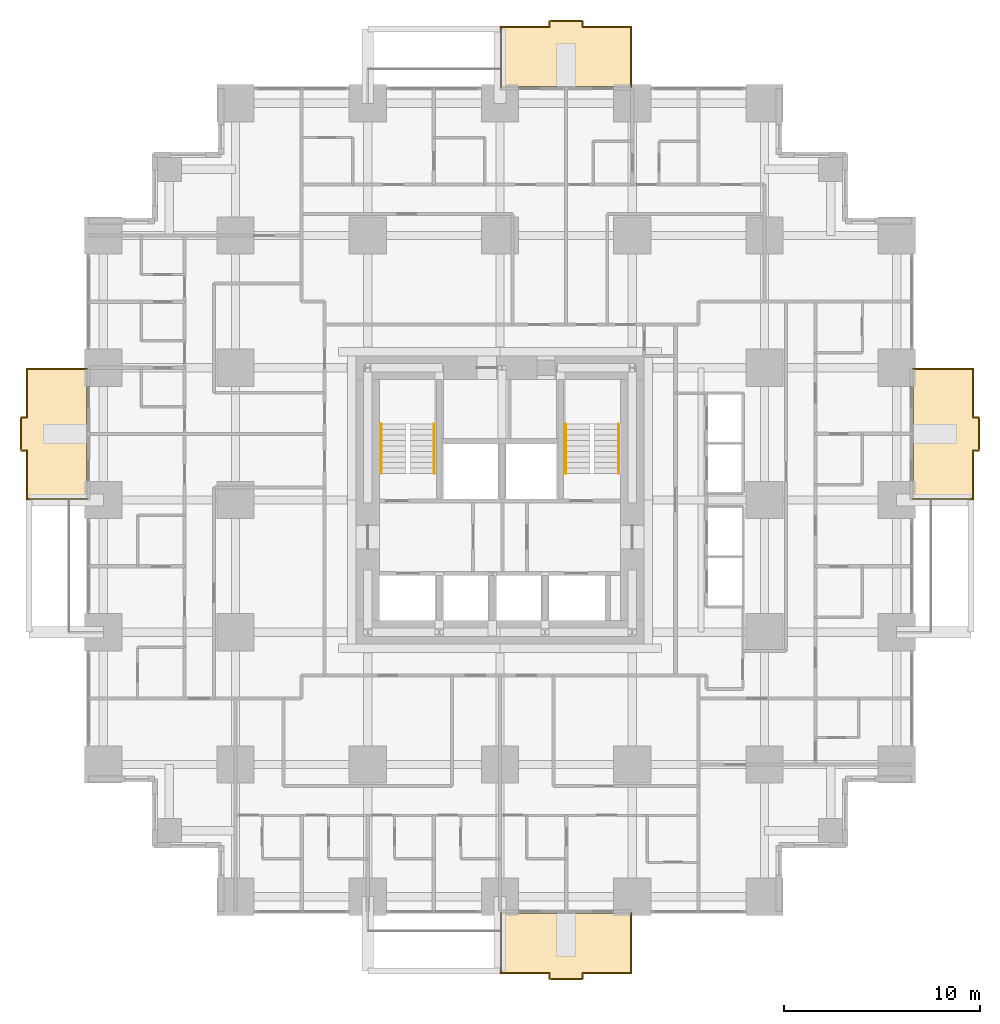
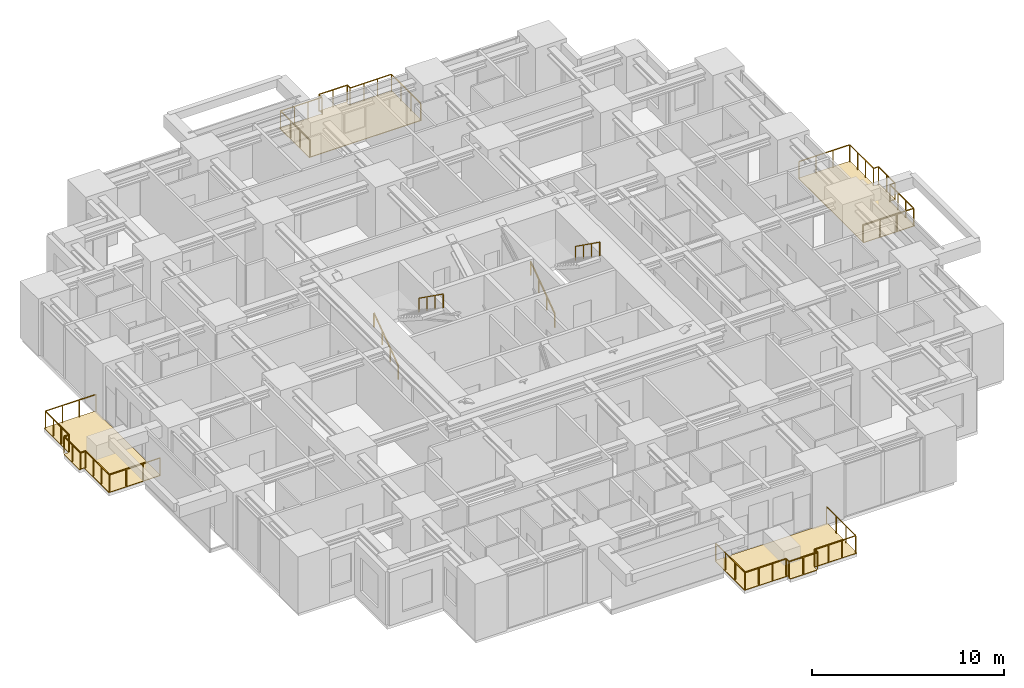
# One storey, part 14 of 14: 8 railings, 4 coverings.
"""IFC4 building model written with IfcOpenShell, lengths in metres."""

from ifc_helpers import new_model, si_unit, direction, frame, origin, origin_2d, place, context, subcontext, project, spatial, polyline, rectangle, outline, extrude, material, layer, layer_set, type_object, element, save


model = new_model("IFC4")

# Units and contexts
model_context = context("Model", 3, precision=1e-05, world=origin(), true_north=direction((0.0, 1.0)))
body_context = subcontext(model_context, "Body", "Model", "MODEL_VIEW")
ifc_project = project(units=[si_unit("LENGTHUNIT", "METRE"), si_unit("AREAUNIT", "SQUARE_METRE"), si_unit("VOLUMEUNIT", "CUBIC_METRE"), si_unit("PLANEANGLEUNIT", "RADIAN"), si_unit("MASSUNIT", "GRAM", prefix="KILO")], contexts=[model_context])

# Site, building, storey
site_placement = place(None, origin())
site = spatial("IfcSite", under=ifc_project, at=site_placement, CompositionType="ELEMENT")
building_placement = place(site_placement, origin())
building = spatial("IfcBuilding", under=site, at=building_placement, Name="Nyansa Garden Tower", CompositionType="ELEMENT")
storey_placement = place(building_placement, frame((0.0, 0.0, 21.60009765625)))
storey = spatial("IfcBuildingStorey", under=building, at=storey_placement, Name="L05", CompositionType="ELEMENT", Elevation=21.60009765625)

# Coverings
ifc_material_1 = material(Name="Hardwood decking on pedestals", Category="wood")
ifc_layer = layer(ifc_material_1, 0.0400390625)
ifc_layer_set = layer_set([ifc_layer], Name="Balcony decking DK40")
covering_type = type_object("IfcCoveringType", Name="Balcony decking DK40", PredefinedType="FLOORING", material=ifc_layer_set)
covering_1_placement = place(storey_placement, frame((0.0, 0.0, -0.0400390625)))
element("IfcCovering", 1, at=covering_1_placement, inside=storey, type_object=covering_type, Name="Balcony decking L05", PredefinedType="FLOORING", context=body_context, shape_type="SweptSolid", body=[
    extrude(outline(polyline([(20.25, -0.85009765625), (27.0, -0.85009765625), (27.0, -3.949951171875), (24.425048828125, -3.949951171875), (24.425048828125, -4.25), (22.824951171875, -4.25), (22.824951171875, -3.949951171875), (20.25, -3.949951171875), (20.25, -0.85009765625)])), origin(), (0.0, 0.0, 1.0), 0.0400390625),
])
covering_2_placement = place(storey_placement, frame((0.0, 0.0, -0.0400390625)))
element("IfcCovering", 2, at=covering_2_placement, inside=storey, type_object=covering_type, Name="Balcony decking L05", PredefinedType="FLOORING", context=body_context, shape_type="SweptSolid", body=[
    extrude(outline(polyline([(41.35009765625, 20.25), (41.35009765625, 27.0), (44.449951171875, 27.0), (44.449951171875, 24.425048828125), (44.75, 24.425048828125), (44.75, 22.824951171875), (44.449951171875, 22.824951171875), (44.449951171875, 20.25), (41.35009765625, 20.25)])), origin(), (0.0, 0.0, 1.0), 0.0400390625),
])
covering_3_placement = place(storey_placement, frame((0.0, 0.0, -0.0400390625)))
element("IfcCovering", 3, at=covering_3_placement, inside=storey, type_object=covering_type, Name="Balcony decking L05", PredefinedType="FLOORING", context=body_context, shape_type="SweptSolid", body=[
    extrude(outline(polyline([(20.25, 41.35009765625), (27.0, 41.35009765625), (27.0, 44.449951171875), (24.425048828125, 44.449951171875), (24.425048828125, 44.75), (22.824951171875, 44.75), (22.824951171875, 44.449951171875), (20.25, 44.449951171875), (20.25, 41.35009765625)])), origin(), (0.0, 0.0, 1.0), 0.0400390625),
])
covering_4_placement = place(storey_placement, frame((0.0, 0.0, -0.0400390625)))
element("IfcCovering", 4, at=covering_4_placement, inside=storey, type_object=covering_type, Name="Balcony decking L05", PredefinedType="FLOORING", context=body_context, shape_type="SweptSolid", body=[
    extrude(outline(polyline([(-0.85009765625, 20.25), (-0.85009765625, 27.0), (-3.949951171875, 27.0), (-3.949951171875, 24.425048828125), (-4.25, 24.425048828125), (-4.25, 22.824951171875), (-3.949951171875, 22.824951171875), (-3.949951171875, 20.25), (-0.85009765625, 20.25)])), origin(), (0.0, 0.0, 1.0), 0.0400390625),
])

# Railings
ifc_material_2 = material(Name="Black powder-coated steel balusters, laminated glass infill", Category="steel")
railing_type_1 = type_object("IfcRailingType", Name="Balcony guard G1", PredefinedType="GUARDRAIL", material=ifc_material_2)
railing_1_placement = place(storey_placement, frame((20.300048828125, -0.85009765625, 0.0)))
element("IfcRailing", 5, at=railing_1_placement, inside=storey, type_object=railing_type_1, Name="Balcony guard L05", PredefinedType="GUARDRAIL", context=body_context, shape_type="SweptSolid", body=[
    extrude(rectangle(XDim=0.048095703125, YDim=0.048095703125, at=origin_2d()), frame((0.0, 0.0, 1.076171875), z_axis=(0.0, -1.0, 0.0), x_axis=(1.0, 0.0, 0.0)), (0.0, 0.0, 1.0), 3.0498046875),
    extrude(rectangle(XDim=0.048095703125, YDim=0.048095703125, at=origin_2d()), frame((0.0, -3.0498046875, 1.076171875), z_axis=(1.0, 0.0, 0.0), x_axis=(0.0, 1.0, 0.0)), (0.0, 0.0, 1.0), 2.474853515625),
    extrude(rectangle(XDim=0.048095703125, YDim=0.048095703125, at=origin_2d()), frame((2.474853515625, -3.0498046875, 1.076171875), z_axis=(0.0, -1.0, 0.0), x_axis=(1.0, 0.0, 0.0)), (0.0, 0.0, 1.0), 0.300048828125),
    extrude(rectangle(XDim=0.048095703125, YDim=0.048095703125, at=origin_2d()), frame((2.474853515625, -3.349853515625, 1.076171875), z_axis=(1.0, 0.0, 0.0), x_axis=(0.0, 1.0, 0.0)), (0.0, 0.0, 1.0), 1.7001953125),
    extrude(rectangle(XDim=0.048095703125, YDim=0.048095703125, at=origin_2d()), frame((4.175048828125, -3.349853515625, 1.076171875), z_axis=(0.0, 1.0, 0.0), x_axis=(-1.0, 0.0, 0.0)), (0.0, 0.0, 1.0), 0.300048828125),
    extrude(rectangle(XDim=0.048095703125, YDim=0.048095703125, at=origin_2d()), frame((4.175048828125, -3.0498046875, 1.076171875), z_axis=(1.0, 0.0, 0.0), x_axis=(0.0, 1.0, 0.0)), (0.0, 0.0, 1.0), 2.474853515625),
    extrude(rectangle(XDim=0.048095703125, YDim=0.048095703125, at=origin_2d()), frame((6.64990234375, -3.0498046875, 1.076171875), z_axis=(0.0, 1.0, 0.0), x_axis=(-1.0, 0.0, 0.0)), (0.0, 0.0, 1.0), 3.0498046875),
    extrude(rectangle(XDim=0.0419921875, YDim=0.0419921875, at=origin_2d()), origin(), (0.0, 0.0, 1.0), 1.052001953125),
    extrude(rectangle(XDim=0.0419921875, YDim=0.0419921875, at=origin_2d()), frame((0.0, -1.0166015625, 0.0)), (0.0, 0.0, 1.0), 1.052001953125),
    extrude(rectangle(XDim=0.0419921875, YDim=0.0419921875, at=origin_2d()), frame((0.0, -2.033203125, 0.0)), (0.0, 0.0, 1.0), 1.052001953125),
    extrude(rectangle(XDim=0.0419921875, YDim=0.0419921875, at=origin_2d()), frame((0.0, -3.0498046875, 0.0)), (0.0, 0.0, 1.0), 1.052001953125),
    extrude(rectangle(XDim=0.0419921875, YDim=0.0419921875, at=origin_2d()), frame((0.824951171875, -3.0498046875, 0.0)), (0.0, 0.0, 1.0), 1.052001953125),
    extrude(rectangle(XDim=0.0419921875, YDim=0.0419921875, at=origin_2d()), frame((1.64990234375, -3.0498046875, 0.0)), (0.0, 0.0, 1.0), 1.052001953125),
    extrude(rectangle(XDim=0.0419921875, YDim=0.0419921875, at=origin_2d()), frame((2.474853515625, -3.0498046875, 0.0)), (0.0, 0.0, 1.0), 1.052001953125),
    extrude(rectangle(XDim=0.0419921875, YDim=0.0419921875, at=origin_2d()), frame((2.474853515625, -3.349853515625, 0.0)), (0.0, 0.0, 1.0), 1.052001953125),
    extrude(rectangle(XDim=0.0419921875, YDim=0.0419921875, at=origin_2d()), frame((3.324951171875, -3.349853515625, 0.0)), (0.0, 0.0, 1.0), 1.052001953125),
    extrude(rectangle(XDim=0.0419921875, YDim=0.0419921875, at=origin_2d()), frame((4.175048828125, -3.349853515625, 0.0)), (0.0, 0.0, 1.0), 1.052001953125),
    extrude(rectangle(XDim=0.0419921875, YDim=0.0419921875, at=origin_2d()), frame((4.175048828125, -3.0498046875, 0.0)), (0.0, 0.0, 1.0), 1.052001953125),
    extrude(rectangle(XDim=0.0419921875, YDim=0.0419921875, at=origin_2d()), frame((5.0, -3.0498046875, 0.0)), (0.0, 0.0, 1.0), 1.052001953125),
    extrude(rectangle(XDim=0.0419921875, YDim=0.0419921875, at=origin_2d()), frame((5.824951171875, -3.0498046875, 0.0)), (0.0, 0.0, 1.0), 1.052001953125),
    extrude(rectangle(XDim=0.0419921875, YDim=0.0419921875, at=origin_2d()), frame((6.64990234375, -3.0498046875, 0.0)), (0.0, 0.0, 1.0), 1.052001953125),
    extrude(rectangle(XDim=0.0419921875, YDim=0.0419921875, at=origin_2d()), frame((6.64990234375, -2.033203125, 0.0)), (0.0, 0.0, 1.0), 1.052001953125),
    extrude(rectangle(XDim=0.0419921875, YDim=0.0419921875, at=origin_2d()), frame((6.64990234375, -1.0166015625, 0.0)), (0.0, 0.0, 1.0), 1.052001953125),
    extrude(rectangle(XDim=0.0419921875, YDim=0.0419921875, at=origin_2d()), frame((6.64990234375, 0.0, 0.0)), (0.0, 0.0, 1.0), 1.052001953125),
])
railing_2_placement = place(storey_placement, frame((41.35009765625, 20.300048828125, 0.0)))
element("IfcRailing", 6, at=railing_2_placement, inside=storey, type_object=railing_type_1, Name="Balcony guard L05", PredefinedType="GUARDRAIL", context=body_context, shape_type="SweptSolid", body=[
    extrude(rectangle(XDim=0.048095703125, YDim=0.048095703125, at=origin_2d()), frame((0.0, 0.0, 1.076171875), z_axis=(1.0, 0.0, 0.0), x_axis=(0.0, 1.0, 0.0)), (0.0, 0.0, 1.0), 3.0498046875),
    extrude(rectangle(XDim=0.048095703125, YDim=0.048095703125, at=origin_2d()), frame((3.0498046875, 0.0, 1.076171875), z_axis=(0.0, 1.0, 0.0), x_axis=(-1.0, 0.0, 0.0)), (0.0, 0.0, 1.0), 2.474853515625),
    extrude(rectangle(XDim=0.048095703125, YDim=0.048095703125, at=origin_2d()), frame((3.0498046875, 2.474853515625, 1.076171875), z_axis=(1.0, 0.0, 0.0), x_axis=(0.0, 1.0, 0.0)), (0.0, 0.0, 1.0), 0.300048828125),
    extrude(rectangle(XDim=0.048095703125, YDim=0.048095703125, at=origin_2d()), frame((3.349853515625, 2.474853515625, 1.076171875), z_axis=(0.0, 1.0, 0.0), x_axis=(-1.0, 0.0, 0.0)), (0.0, 0.0, 1.0), 1.7001953125),
    extrude(rectangle(XDim=0.048095703125, YDim=0.048095703125, at=origin_2d()), frame((3.349853515625, 4.175048828125, 1.076171875), z_axis=(-1.0, 0.0, 0.0), x_axis=(0.0, -1.0, 0.0)), (0.0, 0.0, 1.0), 0.300048828125),
    extrude(rectangle(XDim=0.048095703125, YDim=0.048095703125, at=origin_2d()), frame((3.0498046875, 4.175048828125, 1.076171875), z_axis=(0.0, 1.0, 0.0), x_axis=(-1.0, 0.0, 0.0)), (0.0, 0.0, 1.0), 2.474853515625),
    extrude(rectangle(XDim=0.048095703125, YDim=0.048095703125, at=origin_2d()), frame((3.0498046875, 6.64990234375, 1.076171875), z_axis=(-1.0, 0.0, 0.0), x_axis=(0.0, -1.0, 0.0)), (0.0, 0.0, 1.0), 3.0498046875),
    extrude(rectangle(XDim=0.0419921875, YDim=0.0419921875, at=origin_2d()), origin(), (0.0, 0.0, 1.0), 1.052001953125),
    extrude(rectangle(XDim=0.0419921875, YDim=0.0419921875, at=origin_2d()), frame((1.0166015625, 0.0, 0.0)), (0.0, 0.0, 1.0), 1.052001953125),
    extrude(rectangle(XDim=0.0419921875, YDim=0.0419921875, at=origin_2d()), frame((2.033203125, 0.0, 0.0)), (0.0, 0.0, 1.0), 1.052001953125),
    extrude(rectangle(XDim=0.0419921875, YDim=0.0419921875, at=origin_2d()), frame((3.0498046875, 0.0, 0.0)), (0.0, 0.0, 1.0), 1.052001953125),
    extrude(rectangle(XDim=0.0419921875, YDim=0.0419921875, at=origin_2d()), frame((3.0498046875, 0.824951171875, 0.0)), (0.0, 0.0, 1.0), 1.052001953125),
    extrude(rectangle(XDim=0.0419921875, YDim=0.0419921875, at=origin_2d()), frame((3.0498046875, 1.64990234375, 0.0)), (0.0, 0.0, 1.0), 1.052001953125),
    extrude(rectangle(XDim=0.0419921875, YDim=0.0419921875, at=origin_2d()), frame((3.0498046875, 2.474853515625, 0.0)), (0.0, 0.0, 1.0), 1.052001953125),
    extrude(rectangle(XDim=0.0419921875, YDim=0.0419921875, at=origin_2d()), frame((3.349853515625, 2.474853515625, 0.0)), (0.0, 0.0, 1.0), 1.052001953125),
    extrude(rectangle(XDim=0.0419921875, YDim=0.0419921875, at=origin_2d()), frame((3.349853515625, 3.324951171875, 0.0)), (0.0, 0.0, 1.0), 1.052001953125),
    extrude(rectangle(XDim=0.0419921875, YDim=0.0419921875, at=origin_2d()), frame((3.349853515625, 4.175048828125, 0.0)), (0.0, 0.0, 1.0), 1.052001953125),
    extrude(rectangle(XDim=0.0419921875, YDim=0.0419921875, at=origin_2d()), frame((3.0498046875, 4.175048828125, 0.0)), (0.0, 0.0, 1.0), 1.052001953125),
    extrude(rectangle(XDim=0.0419921875, YDim=0.0419921875, at=origin_2d()), frame((3.0498046875, 5.0, 0.0)), (0.0, 0.0, 1.0), 1.052001953125),
    extrude(rectangle(XDim=0.0419921875, YDim=0.0419921875, at=origin_2d()), frame((3.0498046875, 5.824951171875, 0.0)), (0.0, 0.0, 1.0), 1.052001953125),
    extrude(rectangle(XDim=0.0419921875, YDim=0.0419921875, at=origin_2d()), frame((3.0498046875, 6.64990234375, 0.0)), (0.0, 0.0, 1.0), 1.052001953125),
    extrude(rectangle(XDim=0.0419921875, YDim=0.0419921875, at=origin_2d()), frame((2.033203125, 6.64990234375, 0.0)), (0.0, 0.0, 1.0), 1.052001953125),
    extrude(rectangle(XDim=0.0419921875, YDim=0.0419921875, at=origin_2d()), frame((1.0166015625, 6.64990234375, 0.0)), (0.0, 0.0, 1.0), 1.052001953125),
    extrude(rectangle(XDim=0.0419921875, YDim=0.0419921875, at=origin_2d()), frame((0.0, 6.64990234375, 0.0)), (0.0, 0.0, 1.0), 1.052001953125),
])
railing_3_placement = place(storey_placement, frame((20.300048828125, 41.35009765625, 0.0)))
element("IfcRailing", 7, at=railing_3_placement, inside=storey, type_object=railing_type_1, Name="Balcony guard L05", PredefinedType="GUARDRAIL", context=body_context, shape_type="SweptSolid", body=[
    extrude(rectangle(XDim=0.048095703125, YDim=0.048095703125, at=origin_2d()), frame((0.0, 0.0, 1.076171875), z_axis=(0.0, 1.0, 0.0), x_axis=(-1.0, 0.0, 0.0)), (0.0, 0.0, 1.0), 3.0498046875),
    extrude(rectangle(XDim=0.048095703125, YDim=0.048095703125, at=origin_2d()), frame((0.0, 3.0498046875, 1.076171875), z_axis=(1.0, 0.0, 0.0), x_axis=(0.0, 1.0, 0.0)), (0.0, 0.0, 1.0), 2.474853515625),
    extrude(rectangle(XDim=0.048095703125, YDim=0.048095703125, at=origin_2d()), frame((2.474853515625, 3.0498046875, 1.076171875), z_axis=(0.0, 1.0, 0.0), x_axis=(-1.0, 0.0, 0.0)), (0.0, 0.0, 1.0), 0.300048828125),
    extrude(rectangle(XDim=0.048095703125, YDim=0.048095703125, at=origin_2d()), frame((2.474853515625, 3.349853515625, 1.076171875), z_axis=(1.0, 0.0, 0.0), x_axis=(0.0, 1.0, 0.0)), (0.0, 0.0, 1.0), 1.7001953125),
    extrude(rectangle(XDim=0.048095703125, YDim=0.048095703125, at=origin_2d()), frame((4.175048828125, 3.349853515625, 1.076171875), z_axis=(0.0, -1.0, 0.0), x_axis=(1.0, 0.0, 0.0)), (0.0, 0.0, 1.0), 0.300048828125),
    extrude(rectangle(XDim=0.048095703125, YDim=0.048095703125, at=origin_2d()), frame((4.175048828125, 3.0498046875, 1.076171875), z_axis=(1.0, 0.0, 0.0), x_axis=(0.0, 1.0, 0.0)), (0.0, 0.0, 1.0), 2.474853515625),
    extrude(rectangle(XDim=0.048095703125, YDim=0.048095703125, at=origin_2d()), frame((6.64990234375, 3.0498046875, 1.076171875), z_axis=(0.0, -1.0, 0.0), x_axis=(1.0, 0.0, 0.0)), (0.0, 0.0, 1.0), 3.0498046875),
    extrude(rectangle(XDim=0.0419921875, YDim=0.0419921875, at=origin_2d()), origin(), (0.0, 0.0, 1.0), 1.052001953125),
    extrude(rectangle(XDim=0.0419921875, YDim=0.0419921875, at=origin_2d()), frame((0.0, 1.0166015625, 0.0)), (0.0, 0.0, 1.0), 1.052001953125),
    extrude(rectangle(XDim=0.0419921875, YDim=0.0419921875, at=origin_2d()), frame((0.0, 2.033203125, 0.0)), (0.0, 0.0, 1.0), 1.052001953125),
    extrude(rectangle(XDim=0.0419921875, YDim=0.0419921875, at=origin_2d()), frame((0.0, 3.0498046875, 0.0)), (0.0, 0.0, 1.0), 1.052001953125),
    extrude(rectangle(XDim=0.0419921875, YDim=0.0419921875, at=origin_2d()), frame((0.824951171875, 3.0498046875, 0.0)), (0.0, 0.0, 1.0), 1.052001953125),
    extrude(rectangle(XDim=0.0419921875, YDim=0.0419921875, at=origin_2d()), frame((1.64990234375, 3.0498046875, 0.0)), (0.0, 0.0, 1.0), 1.052001953125),
    extrude(rectangle(XDim=0.0419921875, YDim=0.0419921875, at=origin_2d()), frame((2.474853515625, 3.0498046875, 0.0)), (0.0, 0.0, 1.0), 1.052001953125),
    extrude(rectangle(XDim=0.0419921875, YDim=0.0419921875, at=origin_2d()), frame((2.474853515625, 3.349853515625, 0.0)), (0.0, 0.0, 1.0), 1.052001953125),
    extrude(rectangle(XDim=0.0419921875, YDim=0.0419921875, at=origin_2d()), frame((3.324951171875, 3.349853515625, 0.0)), (0.0, 0.0, 1.0), 1.052001953125),
    extrude(rectangle(XDim=0.0419921875, YDim=0.0419921875, at=origin_2d()), frame((4.175048828125, 3.349853515625, 0.0)), (0.0, 0.0, 1.0), 1.052001953125),
    extrude(rectangle(XDim=0.0419921875, YDim=0.0419921875, at=origin_2d()), frame((4.175048828125, 3.0498046875, 0.0)), (0.0, 0.0, 1.0), 1.052001953125),
    extrude(rectangle(XDim=0.0419921875, YDim=0.0419921875, at=origin_2d()), frame((5.0, 3.0498046875, 0.0)), (0.0, 0.0, 1.0), 1.052001953125),
    extrude(rectangle(XDim=0.0419921875, YDim=0.0419921875, at=origin_2d()), frame((5.824951171875, 3.0498046875, 0.0)), (0.0, 0.0, 1.0), 1.052001953125),
    extrude(rectangle(XDim=0.0419921875, YDim=0.0419921875, at=origin_2d()), frame((6.64990234375, 3.0498046875, 0.0)), (0.0, 0.0, 1.0), 1.052001953125),
    extrude(rectangle(XDim=0.0419921875, YDim=0.0419921875, at=origin_2d()), frame((6.64990234375, 2.033203125, 0.0)), (0.0, 0.0, 1.0), 1.052001953125),
    extrude(rectangle(XDim=0.0419921875, YDim=0.0419921875, at=origin_2d()), frame((6.64990234375, 1.0166015625, 0.0)), (0.0, 0.0, 1.0), 1.052001953125),
    extrude(rectangle(XDim=0.0419921875, YDim=0.0419921875, at=origin_2d()), frame((6.64990234375, 0.0, 0.0)), (0.0, 0.0, 1.0), 1.052001953125),
])
railing_4_placement = place(storey_placement, frame((-0.85009765625, 20.300048828125, 0.0)))
element("IfcRailing", 8, at=railing_4_placement, inside=storey, type_object=railing_type_1, Name="Balcony guard L05", PredefinedType="GUARDRAIL", context=body_context, shape_type="SweptSolid", body=[
    extrude(rectangle(XDim=0.048095703125, YDim=0.048095703125, at=origin_2d()), frame((0.0, 0.0, 1.076171875), z_axis=(-1.0, 0.0, 0.0), x_axis=(0.0, -1.0, 0.0)), (0.0, 0.0, 1.0), 3.0498046875),
    extrude(rectangle(XDim=0.048095703125, YDim=0.048095703125, at=origin_2d()), frame((-3.0498046875, 0.0, 1.076171875), z_axis=(0.0, 1.0, 0.0), x_axis=(-1.0, 0.0, 0.0)), (0.0, 0.0, 1.0), 2.474853515625),
    extrude(rectangle(XDim=0.048095703125, YDim=0.048095703125, at=origin_2d()), frame((-3.0498046875, 2.474853515625, 1.076171875), z_axis=(-1.0, 0.0, 0.0), x_axis=(0.0, -1.0, 0.0)), (0.0, 0.0, 1.0), 0.300048828125),
    extrude(rectangle(XDim=0.048095703125, YDim=0.048095703125, at=origin_2d()), frame((-3.349853515625, 2.474853515625, 1.076171875), z_axis=(0.0, 1.0, 0.0), x_axis=(-1.0, 0.0, 0.0)), (0.0, 0.0, 1.0), 1.7001953125),
    extrude(rectangle(XDim=0.048095703125, YDim=0.048095703125, at=origin_2d()), frame((-3.349853515625, 4.175048828125, 1.076171875), z_axis=(1.0, 0.0, 0.0), x_axis=(0.0, 1.0, 0.0)), (0.0, 0.0, 1.0), 0.300048828125),
    extrude(rectangle(XDim=0.048095703125, YDim=0.048095703125, at=origin_2d()), frame((-3.0498046875, 4.175048828125, 1.076171875), z_axis=(0.0, 1.0, 0.0), x_axis=(-1.0, 0.0, 0.0)), (0.0, 0.0, 1.0), 2.474853515625),
    extrude(rectangle(XDim=0.048095703125, YDim=0.048095703125, at=origin_2d()), frame((-3.0498046875, 6.64990234375, 1.076171875), z_axis=(1.0, 0.0, 0.0), x_axis=(0.0, 1.0, 0.0)), (0.0, 0.0, 1.0), 3.0498046875),
    extrude(rectangle(XDim=0.0419921875, YDim=0.0419921875, at=origin_2d()), origin(), (0.0, 0.0, 1.0), 1.052001953125),
    extrude(rectangle(XDim=0.0419921875, YDim=0.0419921875, at=origin_2d()), frame((-1.0166015625, 0.0, 0.0)), (0.0, 0.0, 1.0), 1.052001953125),
    extrude(rectangle(XDim=0.0419921875, YDim=0.0419921875, at=origin_2d()), frame((-2.033203125, 0.0, 0.0)), (0.0, 0.0, 1.0), 1.052001953125),
    extrude(rectangle(XDim=0.0419921875, YDim=0.0419921875, at=origin_2d()), frame((-3.0498046875, 0.0, 0.0)), (0.0, 0.0, 1.0), 1.052001953125),
    extrude(rectangle(XDim=0.0419921875, YDim=0.0419921875, at=origin_2d()), frame((-3.0498046875, 0.824951171875, 0.0)), (0.0, 0.0, 1.0), 1.052001953125),
    extrude(rectangle(XDim=0.0419921875, YDim=0.0419921875, at=origin_2d()), frame((-3.0498046875, 1.64990234375, 0.0)), (0.0, 0.0, 1.0), 1.052001953125),
    extrude(rectangle(XDim=0.0419921875, YDim=0.0419921875, at=origin_2d()), frame((-3.0498046875, 2.474853515625, 0.0)), (0.0, 0.0, 1.0), 1.052001953125),
    extrude(rectangle(XDim=0.0419921875, YDim=0.0419921875, at=origin_2d()), frame((-3.349853515625, 2.474853515625, 0.0)), (0.0, 0.0, 1.0), 1.052001953125),
    extrude(rectangle(XDim=0.0419921875, YDim=0.0419921875, at=origin_2d()), frame((-3.349853515625, 3.324951171875, 0.0)), (0.0, 0.0, 1.0), 1.052001953125),
    extrude(rectangle(XDim=0.0419921875, YDim=0.0419921875, at=origin_2d()), frame((-3.349853515625, 4.175048828125, 0.0)), (0.0, 0.0, 1.0), 1.052001953125),
    extrude(rectangle(XDim=0.0419921875, YDim=0.0419921875, at=origin_2d()), frame((-3.0498046875, 4.175048828125, 0.0)), (0.0, 0.0, 1.0), 1.052001953125),
    extrude(rectangle(XDim=0.0419921875, YDim=0.0419921875, at=origin_2d()), frame((-3.0498046875, 5.0, 0.0)), (0.0, 0.0, 1.0), 1.052001953125),
    extrude(rectangle(XDim=0.0419921875, YDim=0.0419921875, at=origin_2d()), frame((-3.0498046875, 5.824951171875, 0.0)), (0.0, 0.0, 1.0), 1.052001953125),
    extrude(rectangle(XDim=0.0419921875, YDim=0.0419921875, at=origin_2d()), frame((-3.0498046875, 6.64990234375, 0.0)), (0.0, 0.0, 1.0), 1.052001953125),
    extrude(rectangle(XDim=0.0419921875, YDim=0.0419921875, at=origin_2d()), frame((-2.033203125, 6.64990234375, 0.0)), (0.0, 0.0, 1.0), 1.052001953125),
    extrude(rectangle(XDim=0.0419921875, YDim=0.0419921875, at=origin_2d()), frame((-1.0166015625, 6.64990234375, 0.0)), (0.0, 0.0, 1.0), 1.052001953125),
    extrude(rectangle(XDim=0.0419921875, YDim=0.0419921875, at=origin_2d()), frame((0.0, 6.64990234375, 0.0)), (0.0, 0.0, 1.0), 1.052001953125),
])
ifc_material_3 = material(Name="Black powder-coated steel tube 48 mm", Category="steel")
railing_type_2 = type_object("IfcRailingType", Name="Stair handrail HR1", PredefinedType="HANDRAIL", material=ifc_material_3)
railing_5_placement = place(storey_placement, frame((14.199951171875, 21.60009765625, 0.0)))
element("IfcRailing", 9, at=railing_5_placement, inside=storey, type_object=railing_type_2, Name="Stair S1 handrail L05", PredefinedType="HANDRAIL", context=body_context, shape_type="SweptSolid", body=[
    extrude(rectangle(XDim=0.048095703125, YDim=0.048095703125, at=origin_2d()), frame((0.0, 0.0, 0.8759765625), z_axis=(0.0, 0.813765431312, 0.581193446971), x_axis=(-1.0, 0.0, 0.0)), (0.0, 0.0, 1.0), 3.0966796875),
    extrude(rectangle(XDim=0.0419921875, YDim=0.0419921875, at=origin_2d()), origin(), (0.0, 0.0, 1.0), 0.851806640625),
    extrude(rectangle(XDim=0.0419921875, YDim=0.0419921875, at=origin_2d()), frame((0.0, 0.840087890625, 0.599853515625)), (0.0, 0.0, 1.0), 0.851806640625),
    extrude(rectangle(XDim=0.0419921875, YDim=0.0419921875, at=origin_2d()), frame((0.0, 1.679931640625, 1.199951171875)), (0.0, 0.0, 1.0), 0.851806640625),
    extrude(rectangle(XDim=0.0419921875, YDim=0.0419921875, at=origin_2d()), frame((0.0, 2.52001953125, 1.7998046875)), (0.0, 0.0, 1.0), 0.851806640625),
])
railing_6_placement = place(storey_placement, frame((16.89990234375, 24.1201171875, 1.7998046875)))
element("IfcRailing", 10, at=railing_6_placement, inside=storey, type_object=railing_type_2, Name="Stair S1 handrail L05", PredefinedType="HANDRAIL", context=body_context, shape_type="SweptSolid", body=[
    extrude(rectangle(XDim=0.048095703125, YDim=0.048095703125, at=origin_2d()), frame((0.0, 0.0, 0.8759765625), z_axis=(0.0, -0.813728144527, 0.581245650998), x_axis=(1.0, 0.0, 0.0)), (0.0, 0.0, 1.0), 3.096923828125),
    extrude(rectangle(XDim=0.0419921875, YDim=0.0419921875, at=origin_2d()), origin(), (0.0, 0.0, 1.0), 0.851806640625),
    extrude(rectangle(XDim=0.0419921875, YDim=0.0419921875, at=origin_2d()), frame((0.0, -0.840087890625, 0.60009765625)), (0.0, 0.0, 1.0), 0.851806640625),
    extrude(rectangle(XDim=0.0419921875, YDim=0.0419921875, at=origin_2d()), frame((0.0, -1.679931640625, 1.199951171875)), (0.0, 0.0, 1.0), 0.851806640625),
    extrude(rectangle(XDim=0.0419921875, YDim=0.0419921875, at=origin_2d()), frame((0.0, -2.52001953125, 1.800048828125)), (0.0, 0.0, 1.0), 0.851806640625),
])
railing_7_placement = place(storey_placement, frame((23.60009765625, 21.60009765625, 0.0)))
element("IfcRailing", 11, at=railing_7_placement, inside=storey, type_object=railing_type_2, Name="Stair S2 handrail L05", PredefinedType="HANDRAIL", context=body_context, shape_type="SweptSolid", body=[
    extrude(rectangle(XDim=0.048095703125, YDim=0.048095703125, at=origin_2d()), frame((0.0, 0.0, 0.8759765625), z_axis=(0.0, 0.813765431312, 0.581193446971), x_axis=(-1.0, 0.0, 0.0)), (0.0, 0.0, 1.0), 3.0966796875),
    extrude(rectangle(XDim=0.0419921875, YDim=0.0419921875, at=origin_2d()), origin(), (0.0, 0.0, 1.0), 0.851806640625),
    extrude(rectangle(XDim=0.0419921875, YDim=0.0419921875, at=origin_2d()), frame((0.0, 0.840087890625, 0.599853515625)), (0.0, 0.0, 1.0), 0.851806640625),
    extrude(rectangle(XDim=0.0419921875, YDim=0.0419921875, at=origin_2d()), frame((0.0, 1.679931640625, 1.199951171875)), (0.0, 0.0, 1.0), 0.851806640625),
    extrude(rectangle(XDim=0.0419921875, YDim=0.0419921875, at=origin_2d()), frame((0.0, 2.52001953125, 1.7998046875)), (0.0, 0.0, 1.0), 0.851806640625),
])
railing_8_placement = place(storey_placement, frame((26.300048828125, 24.1201171875, 1.7998046875)))
element("IfcRailing", 12, at=railing_8_placement, inside=storey, type_object=railing_type_2, Name="Stair S2 handrail L05", PredefinedType="HANDRAIL", context=body_context, shape_type="SweptSolid", body=[
    extrude(rectangle(XDim=0.048095703125, YDim=0.048095703125, at=origin_2d()), frame((0.0, 0.0, 0.8759765625), z_axis=(0.0, -0.813728144527, 0.581245650998), x_axis=(1.0, 0.0, 0.0)), (0.0, 0.0, 1.0), 3.096923828125),
    extrude(rectangle(XDim=0.0419921875, YDim=0.0419921875, at=origin_2d()), origin(), (0.0, 0.0, 1.0), 0.851806640625),
    extrude(rectangle(XDim=0.0419921875, YDim=0.0419921875, at=origin_2d()), frame((0.0, -0.840087890625, 0.60009765625)), (0.0, 0.0, 1.0), 0.851806640625),
    extrude(rectangle(XDim=0.0419921875, YDim=0.0419921875, at=origin_2d()), frame((0.0, -1.679931640625, 1.199951171875)), (0.0, 0.0, 1.0), 0.851806640625),
    extrude(rectangle(XDim=0.0419921875, YDim=0.0419921875, at=origin_2d()), frame((0.0, -2.52001953125, 1.800048828125)), (0.0, 0.0, 1.0), 0.851806640625),
])

save(model, "model.ifc")
